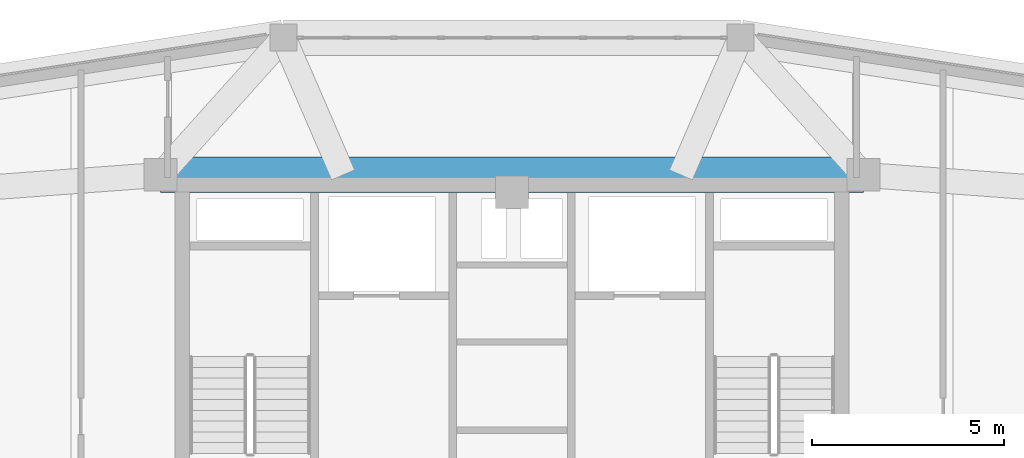
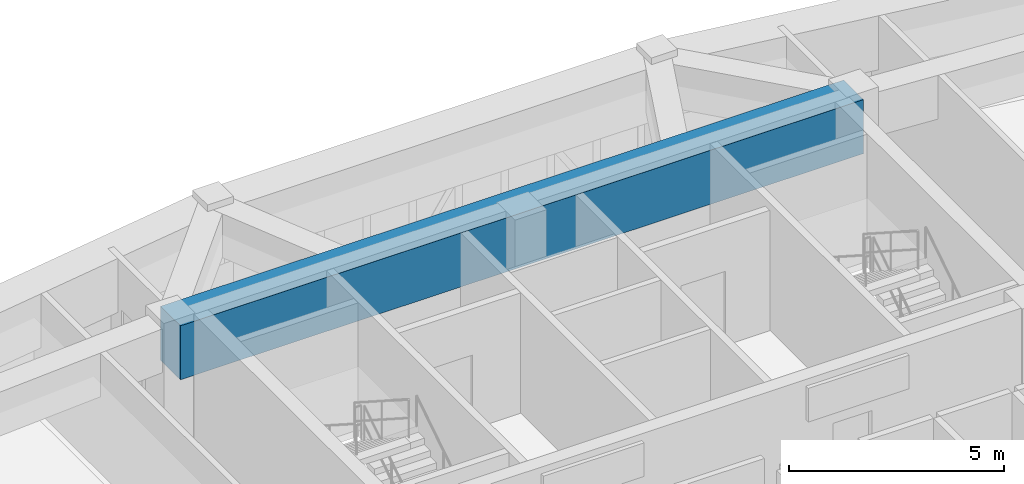
# One storey, part 10 of 16: 1 beam.
"""IFC4 building model written with IfcOpenShell, lengths in metres."""

import ifcopenshell
import ifcopenshell.guid

model = None  # the IFC model being written
_history = None  # IfcOwnerHistory: only IFC2X3 demands one
_inside = {}  # id of a spatial element -> (the spatial element, [elements in it])
_under = {}  # id of a project, library or spatial element -> (it, [spatial elements below it])
_declared = {}  # id of a project -> (the project, [libraries it declares])
_typed = {}  # id of a type object -> (the type object, [elements of that type])
_made_of = {}  # id of a material, layer set ... -> (it, [elements and type objects made of it])


def new_model(schema):
    """Start an empty IFC model of exactly this schema.

    Asked for "IFC4X3", IfcOpenShell would pick the latest addendum, in which some entities
    have other attributes; the version numbers below select the first issue.
    IFC2X3 requires an IfcOwnerHistory on every rooted entity: one is made here for all.
    """
    global model, _history
    if schema == "IFC4X3":
        model = ifcopenshell.file(schema_version=(4, 3, 0, 0))
    else:
        model = ifcopenshell.file(schema=schema)
    _inside.clear()
    _under.clear()
    _declared.clear()
    _typed.clear()
    _made_of.clear()
    _history = None
    if model.schema == "IFC2X3":
        org = make("IfcOrganization", Name="unknown")
        user = make(
            "IfcPersonAndOrganization",
            ThePerson=make("IfcPerson", FamilyName="unknown"),
            TheOrganization=org,
        )
        app = make(
            "IfcApplication",
            ApplicationDeveloper=org,
            Version="unknown",
            ApplicationFullName="unknown",
            ApplicationIdentifier="unknown",
        )
        _history = make(
            "IfcOwnerHistory",
            OwningUser=user,
            OwningApplication=app,
            ChangeAction="ADDED",
            CreationDate=0,
        )
    return model


def make(cls, **values):
    """One entity of the class cls with the attributes given. An attribute that is None is left unset."""
    return model.create_entity(
        cls, **{name: value for name, value in values.items() if value is not None}
    )


def rooted(cls, **values):
    """An entity with a GlobalId (a new one), such as an element, a storey or a relation."""
    return make(cls, GlobalId=ifcopenshell.guid.new(), OwnerHistory=_history, **values)


def si_unit(unit_type, name, prefix=None):
    """IfcSIUnit, for example si_unit("LENGTHUNIT", "METRE", prefix="MILLI")."""
    return make("IfcSIUnit", UnitType=unit_type, Prefix=prefix, Name=name)


def derived_unit(unit_type, elements):
    """IfcDerivedUnit: a product of units, each with its exponent."""
    return make(
        "IfcDerivedUnit",
        Elements=[
            make("IfcDerivedUnitElement", Unit=unit, Exponent=power)
            for unit, power in elements
        ],
        UnitType=unit_type,
    )


def assignment(units):
    """IfcUnitAssignment: the units of a project."""
    return None if units is None else make("IfcUnitAssignment", Units=units)


def point(xyz):
    """IfcCartesianPoint."""
    return None if xyz is None else make("IfcCartesianPoint", Coordinates=xyz)


def direction(xyz):
    """IfcDirection."""
    return None if xyz is None else make("IfcDirection", DirectionRatios=xyz)


def frame(location, z_axis=None, x_axis=None):
    """IfcAxis2Placement3D, a coordinate frame: its origin and axes. An axis left out is left unset."""
    return make(
        "IfcAxis2Placement3D",
        Location=point(location),
        Axis=direction(z_axis),
        RefDirection=direction(x_axis),
    )


def frame_2d(location, x_axis=None):
    """IfcAxis2Placement2D, a coordinate frame in the plane: its origin and x axis."""
    return make(
        "IfcAxis2Placement2D", Location=point(location), RefDirection=direction(x_axis)
    )


def origin():
    """The frame at (0, 0, 0) with its axes left unset."""
    return frame((0.0, 0.0, 0.0))


def origin_2d():
    """The frame at (0, 0) in the plane with its x axis left unset."""
    return frame_2d((0.0, 0.0))


def place(relative_to, where):
    """IfcLocalPlacement: puts the frame where relative to a parent placement (None: the world)."""
    return make(
        "IfcLocalPlacement", PlacementRelTo=relative_to, RelativePlacement=where
    )


def context(
    kind, dimensions, precision=None, world=None, true_north=None, identifier=None
):
    """IfcGeometricRepresentationContext, for example the 3D "Model" context."""
    return make(
        "IfcGeometricRepresentationContext",
        ContextIdentifier=identifier,
        ContextType=kind,
        CoordinateSpaceDimension=dimensions,
        Precision=precision,
        WorldCoordinateSystem=world,
        TrueNorth=true_north,
    )


def subcontext(parent, identifier, kind, view, scale=None):
    """IfcGeometricRepresentationSubContext, for example "Body" below "Model"."""
    return make(
        "IfcGeometricRepresentationSubContext",
        ContextIdentifier=identifier,
        ContextType=kind,
        ParentContext=parent,
        TargetScale=scale,
        TargetView=view,
    )


def project(units=None, contexts=None):
    """IfcProject with its units and contexts."""
    return rooted(
        "IfcProject",
        Name="project",
        RepresentationContexts=contexts,
        UnitsInContext=assignment(units),
    )


def spatial(cls, under=None, at=None, **own):
    """A site, building, storey or space (cls), placed at a placement, below another one or the project."""
    s = rooted(cls, ObjectPlacement=at, **own)
    if under is not None:
        _under.setdefault(under.id(), (under, []))[1].append(s)
    return s


def profile(cls, at=None, kind="AREA", **sizes):
    """A parametric profile (cls). Its sizes go by their IFC names, for example OverallWidth=200.0."""
    return make(cls, ProfileType=kind, Position=at, **sizes)


def rectangle(**sizes):
    """IfcRectangleProfileDef."""
    return profile("IfcRectangleProfileDef", **sizes)


def extrude(swept, where, along, depth):
    """IfcExtrudedAreaSolid: the profile swept, set in the frame where, extruded along a direction by depth."""
    return make(
        "IfcExtrudedAreaSolid",
        SweptArea=swept,
        Position=where,
        ExtrudedDirection=direction(along),
        Depth=depth,
    )


def shape(context_of_items, identifier, shape_type, items):
    """IfcShapeRepresentation: the items that make up one representation, for example the "Body"."""
    return make(
        "IfcShapeRepresentation",
        ContextOfItems=context_of_items,
        RepresentationIdentifier=identifier,
        RepresentationType=shape_type,
        Items=items,
    )


def source(mapping_origin, context_of_items, identifier, shape_type, items):
    """IfcRepresentationMap: a shape defined once, which mapped items show again and again."""
    return make(
        "IfcRepresentationMap",
        MappingOrigin=mapping_origin,
        MappedRepresentation=shape(context_of_items, identifier, shape_type, items),
    )


def transform(
    local_origin,
    x_axis=None,
    y_axis=None,
    z_axis=None,
    scale=None,
    scale2=None,
    scale3=None,
    uniform=True,
):
    """IfcCartesianTransformationOperator3D, or its non-uniform kind. x_axis, y_axis, z_axis: its Axis1, 2, 3."""
    if uniform:
        return make(
            "IfcCartesianTransformationOperator3D",
            Axis1=direction(x_axis),
            Axis2=direction(y_axis),
            LocalOrigin=point(local_origin),
            Scale=scale,
            Axis3=direction(z_axis),
        )
    return make(
        "IfcCartesianTransformationOperator3DnonUniform",
        Axis1=direction(x_axis),
        Axis2=direction(y_axis),
        LocalOrigin=point(local_origin),
        Scale=scale,
        Axis3=direction(z_axis),
        Scale2=scale2,
        Scale3=scale3,
    )


def mapped(mapping_source, mapping_target):
    """IfcMappedItem: shows the shape of a source again, moved by a transform."""
    return make(
        "IfcMappedItem", MappingSource=mapping_source, MappingTarget=mapping_target
    )


def material(Name=None, Category=None):
    """IfcMaterial."""
    return make("IfcMaterial", Name=Name, Category=Category)


def material_profile(
    of_material, cross_section, Name=None, Category=None, Priority=None
):
    """IfcMaterialProfile: a cross section and its material."""
    return make(
        "IfcMaterialProfile",
        Name=Name,
        Material=of_material,
        Profile=cross_section,
        Priority=Priority,
        Category=Category,
    )


def profile_set(profiles, Name=None, composite=None):
    """IfcMaterialProfileSet."""
    return make(
        "IfcMaterialProfileSet",
        Name=Name,
        MaterialProfiles=profiles,
        CompositeProfile=composite,
    )


def made_of(thing, what):
    """Note that an element or type object is made of a material, layer set ...; save() writes the relation."""
    if what is not None:
        _made_of.setdefault(what.id(), (what, []))[1].append(thing)
    return thing


def type_object(cls, material=None, **own):
    """A type object (cls), such as IfcWallType, which elements share."""
    return made_of(rooted(cls, **own), material)


def element(
    cls,
    number,
    at=None,
    inside=None,
    cuts=None,
    type_object=None,
    material=None,
    context=None,
    identifier="Body",
    shape_type=None,
    held_by="IfcProductDefinitionShape",
    body=None,
    shapes=None,
    **own,
):
    """One element of the class cls, such as IfcWall. Its Tag is "e" and its number.

    at: its placement. inside: the storey or other place that contains it. cuts: it is an
    opening in that element (IfcRelVoidsElement). A single representation is given by context,
    identifier, shape_type and body (its items); several are given by shapes. held_by: the class
    of the entity that holds the representations. save() writes the other relations.
    """
    e = rooted(cls, Tag="e%d" % number, ObjectPlacement=at, **own)
    if body is not None:
        shapes = [shape(context, identifier, shape_type, body)]
    if shapes is not None:
        e.Representation = make(held_by, Representations=shapes)
    if inside is not None:
        _inside.setdefault(inside.id(), (inside, []))[1].append(e)
    if cuts is not None:
        rooted(
            "IfcRelVoidsElement", RelatingBuildingElement=cuts, RelatedOpeningElement=e
        )
    if type_object is not None:
        _typed.setdefault(type_object.id(), (type_object, []))[1].append(e)
    return made_of(e, material)


def aggregate(whole, parts):
    """IfcRelAggregates: a whole, such as a stair, and the parts it consists of."""
    return rooted("IfcRelAggregates", RelatingObject=whole, RelatedObjects=parts)


def save(model, path):
    """Write the relations noted so far, then the file.

    IfcRelAggregates (storeys below a building ...), IfcRelContainedInSpatialStructure (elements
    in a storey), IfcRelDefinesByType, IfcRelAssociatesMaterial and IfcRelDeclares: one each for
    every whole, place, type object, material and project.
    """
    for whole, parts in _under.values():
        aggregate(whole, parts)
    for where, things in _inside.values():
        rooted(
            "IfcRelContainedInSpatialStructure",
            RelatedElements=things,
            RelatingStructure=where,
        )
    for kind, things in _typed.values():
        rooted("IfcRelDefinesByType", RelatedObjects=things, RelatingType=kind)
    for what, things in _made_of.values():
        rooted("IfcRelAssociatesMaterial", RelatedObjects=things, RelatingMaterial=what)
    for by, libraries in _declared.values():
        rooted("IfcRelDeclares", RelatingContext=by, RelatedDefinitions=libraries)
    model.write(path)


model = new_model("IFC4")

# Units and contexts
model_context = context("Model", 3, precision=1e-05, world=origin(), true_north=direction((0.0, 1.0)))
body_context = subcontext(model_context, "Body", "Model", "MODEL_VIEW")
ifc_project = project(units=[si_unit("LENGTHUNIT", "METRE"), si_unit("AREAUNIT", "SQUARE_METRE"), si_unit("VOLUMEUNIT", "CUBIC_METRE"), si_unit("PLANEANGLEUNIT", "RADIAN"), si_unit("MASSUNIT", "GRAM", prefix="KILO"), derived_unit("THERMALTRANSMITTANCEUNIT", [(si_unit("POWERUNIT", "WATT"), 1), (si_unit("LENGTHUNIT", "METRE"), -2), (si_unit("THERMODYNAMICTEMPERATUREUNIT", "KELVIN"), -1)])], contexts=[model_context])

# Site, building, storey
site_placement = place(None, origin())
site = spatial("IfcSite", under=ifc_project, at=site_placement, CompositionType="ELEMENT")
building_placement = place(site_placement, origin())
building = spatial("IfcBuilding", under=site, at=building_placement, Name="Korsvarv Bourse and Concert Hall", CompositionType="ELEMENT")
storey_placement = place(building_placement, frame((0.0, 0.0, 261.0)))
storey = spatial("IfcBuildingStorey", under=building, at=storey_placement, Name="L68", CompositionType="ELEMENT", Elevation=261.0)

# Beam
ifc_material = material(Name="Concrete C50/60", Category="concrete")
ifc_material_profile = material_profile(ifc_material, rectangle(XDim=0.919921875, YDim=1.530029296875, at=origin_2d()), Name="RC-BM 920x1530")
ifc_profile_set = profile_set([ifc_material_profile], Name="Concrete C50/60")
beam_type = type_object("IfcBeamType", Name="BM-TR-154", PredefinedType="BEAM", material=ifc_profile_set)
shared_shape = source(origin(), body_context, "Body", "SweptSolid", [
    extrude(rectangle(XDim=0.919921875, YDim=1.530029296875, at=origin_2d()), origin(), (0.0, 0.0, 1.0), 18.2998046875),
])
beam_placement = place(storey_placement, frame((26.85009765625, 47.25, 2.64501953125), z_axis=(1.0, 0.0, 0.0), x_axis=(0.0, 1.0, 0.0)))
element("IfcBeam", 1, at=beam_placement, inside=storey, type_object=beam_type, Name="L68 beam B-TR6", PredefinedType="BEAM", context=body_context, shape_type="MappedRepresentation", body=[
    mapped(shared_shape, transform((0.0, 0.0, 0.0), scale=1.0)),
])

save(model, "model.ifc")
